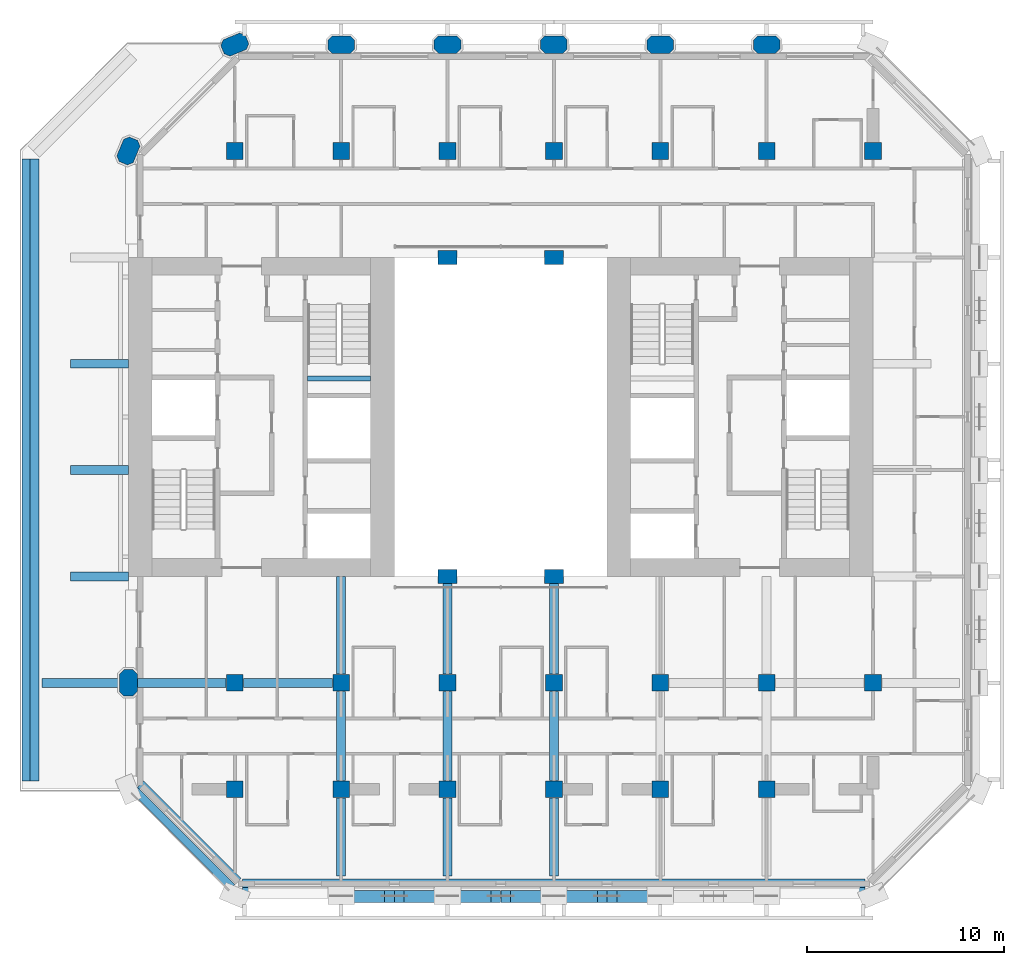
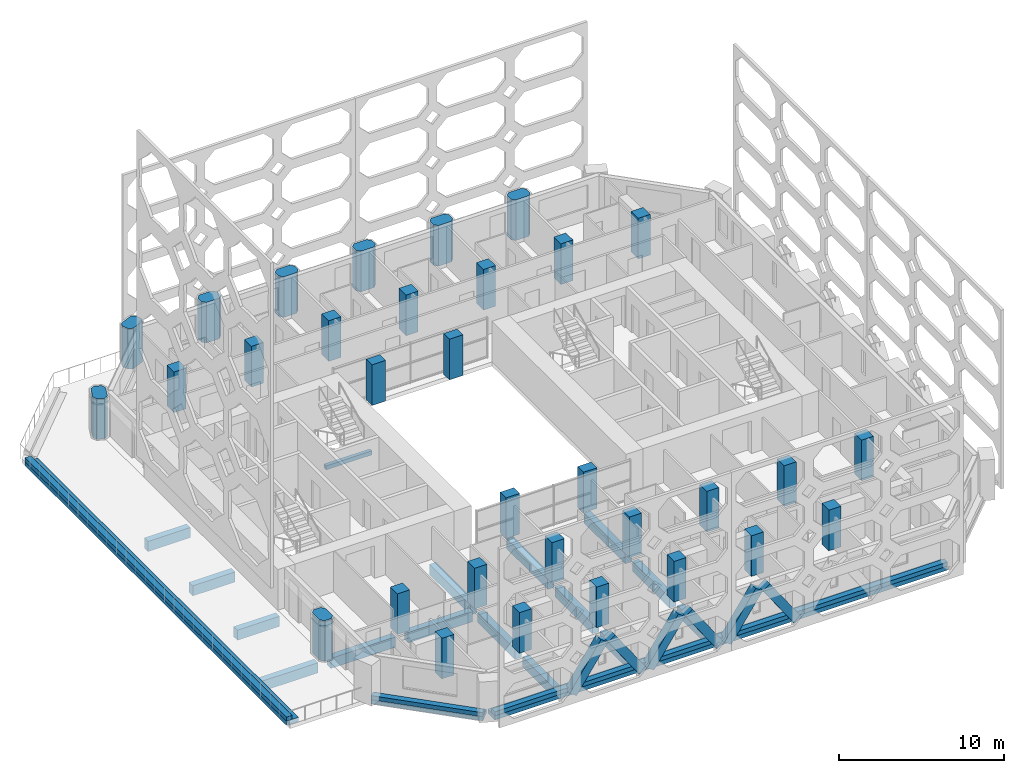
# One storey, part 1 of 16: 32 columns, 22 beams, 6 members.
"""IFC4 building model written with IfcOpenShell, lengths in metres."""

from ifc_helpers import new_model, si_unit, direction, frame, origin, origin_2d, place, context, subcontext, project, spatial, polyline, rectangle, outline, extrude, material, material_profile, profile_set, type_object, element, save


model = new_model("IFC4")

# Units and contexts
model_context = context("Model", 3, precision=1e-05, world=origin(), true_north=direction((0.0, 1.0)))
body_context = subcontext(model_context, "Body", "Model", "MODEL_VIEW")
ifc_project = project(units=[si_unit("LENGTHUNIT", "METRE"), si_unit("AREAUNIT", "SQUARE_METRE"), si_unit("VOLUMEUNIT", "CUBIC_METRE"), si_unit("PLANEANGLEUNIT", "RADIAN"), si_unit("MASSUNIT", "GRAM", prefix="KILO")], contexts=[model_context])

# Site, building, storey
site_placement = place(None, origin())
site = spatial("IfcSite", under=ifc_project, at=site_placement, CompositionType="ELEMENT")
building_placement = place(site_placement, origin())
building = spatial("IfcBuilding", under=site, at=building_placement, Name="Tabaq Tower and Sports Hall", CompositionType="ELEMENT")
storey_placement = place(building_placement, frame((0.0, 0.0, 152.800048828125)))
storey = spatial("IfcBuildingStorey", under=building, at=storey_placement, Name="L35", CompositionType="ELEMENT", Elevation=152.800048828125)

# Columns
ifc_material_1 = material(Name="Concrete C50/60", Category="concrete")
ifc_material_profile_1 = material_profile(ifc_material_1, rectangle(XDim=0.949951171875, YDim=0.699951171875, at=origin_2d()), Name="ATRIUM COLUMN 950x700")
ifc_profile_set_1 = profile_set([ifc_material_profile_1], Name="Concrete C50/60")
column_type_1 = type_object("IfcColumnType", Name="RC COLUMN ATRIUM COLUMN 950x700 C50/60", PredefinedType="COLUMN", material=ifc_profile_set_1)
for number, where, z_axis, x_axis, name in (
    (1, (21.60009765625, 16.199951171875, 0.0), (0.0, 0.0, 1.0), (1.0, 0.0, 0.0), "Atrium Column 5/D L35"),
    (2, (27.0, 16.199951171875, 0.0), (0.0, 0.0, 1.0), (1.0, 0.0, 0.0), "Atrium Column 6/D L35"),
    (3, (21.60009765625, 32.39990234375, 0.0), (0.0, 0.0, 1.0), (1.0, 0.0, 0.0), "Atrium Column 5/G L35"),
    (4, (27.0, 32.39990234375, 0.0), (0.0, 0.0, 1.0), (1.0, 0.0, 0.0), "Atrium Column 6/G L35"),
):
    element("IfcColumn", number, at=place(storey_placement, frame(where, z_axis=z_axis, x_axis=x_axis)), inside=storey, type_object=column_type_1, Name=name, PredefinedType="COLUMN", context=body_context, shape_type="SweptSolid", body=[
        extrude(rectangle(XDim=0.949951171875, YDim=0.699951171875, at=origin_2d()), origin(), (0.0, 0.0, 1.0), 3.0),
    ])
ifc_material_2 = material(Name="Concrete C50/60", Category="concrete")
ifc_material_profile_2 = material_profile(ifc_material_2, rectangle(XDim=0.85009765625, YDim=0.85009765625, at=origin_2d()), Name="COLUMN 850x850")
ifc_profile_set_2 = profile_set([ifc_material_profile_2], Name="Concrete C50/60")
column_type_2 = type_object("IfcColumnType", Name="RC COLUMN COLUMN 850x850 C50/60", PredefinedType="COLUMN", material=ifc_profile_set_2)
for number, where, z_axis, x_axis, name in (
    (5, (10.800048828125, 5.39990234375, 0.0), (0.0, 0.0, 1.0), (1.0, 0.0, 0.0), "Column 3/B L35"),
    (6, (16.199951171875, 5.39990234375, 0.0), (0.0, 0.0, 1.0), (1.0, 0.0, 0.0), "Column 4/B L35"),
    (7, (21.60009765625, 5.39990234375, 0.0), (0.0, 0.0, 1.0), (1.0, 0.0, 0.0), "Column 5/B L35"),
    (8, (27.0, 5.39990234375, 0.0), (0.0, 0.0, 1.0), (1.0, 0.0, 0.0), "Column 6/B L35"),
    (9, (32.39990234375, 5.39990234375, 0.0), (0.0, 0.0, 1.0), (1.0, 0.0, 0.0), "Column 7/B L35"),
    (10, (37.800048828125, 5.39990234375, 0.0), (0.0, 0.0, 1.0), (1.0, 0.0, 0.0), "Column 8/B L35"),
    (11, (10.800048828125, 10.800048828125, 0.0), (0.0, 0.0, 1.0), (1.0, 0.0, 0.0), "Column 3/C L35"),
    (12, (16.199951171875, 10.800048828125, 0.0), (0.0, 0.0, 1.0), (1.0, 0.0, 0.0), "Column 4/C L35"),
    (13, (21.60009765625, 10.800048828125, 0.0), (0.0, 0.0, 1.0), (1.0, 0.0, 0.0), "Column 5/C L35"),
    (14, (27.0, 10.800048828125, 0.0), (0.0, 0.0, 1.0), (1.0, 0.0, 0.0), "Column 6/C L35"),
    (15, (32.39990234375, 10.800048828125, 0.0), (0.0, 0.0, 1.0), (1.0, 0.0, 0.0), "Column 7/C L35"),
    (16, (37.800048828125, 10.800048828125, 0.0), (0.0, 0.0, 1.0), (1.0, 0.0, 0.0), "Column 8/C L35"),
    (17, (43.199951171875, 10.800048828125, 0.0), (0.0, 0.0, 1.0), (1.0, 0.0, 0.0), "Column 9/C L35"),
    (18, (10.800048828125, 37.800048828125, 0.0), (0.0, 0.0, 1.0), (1.0, 0.0, 0.0), "Column 3/H L35"),
    (19, (16.199951171875, 37.800048828125, 0.0), (0.0, 0.0, 1.0), (1.0, 0.0, 0.0), "Column 4/H L35"),
    (20, (21.60009765625, 37.800048828125, 0.0), (0.0, 0.0, 1.0), (1.0, 0.0, 0.0), "Column 5/H L35"),
    (21, (27.0, 37.800048828125, 0.0), (0.0, 0.0, 1.0), (1.0, 0.0, 0.0), "Column 6/H L35"),
    (22, (32.39990234375, 37.800048828125, 0.0), (0.0, 0.0, 1.0), (1.0, 0.0, 0.0), "Column 7/H L35"),
    (23, (37.800048828125, 37.800048828125, 0.0), (0.0, 0.0, 1.0), (1.0, 0.0, 0.0), "Column 8/H L35"),
    (24, (43.199951171875, 37.800048828125, 0.0), (0.0, 0.0, 1.0), (1.0, 0.0, 0.0), "Column 9/H L35"),
):
    element("IfcColumn", number, at=place(storey_placement, frame(where, z_axis=z_axis, x_axis=x_axis)), inside=storey, type_object=column_type_2, Name=name, PredefinedType="COLUMN", context=body_context, shape_type="SweptSolid", body=[
        extrude(rectangle(XDim=0.85009765625, YDim=0.85009765625, at=origin_2d()), origin(), (0.0, 0.0, 1.0), 3.0),
    ])
ifc_material_3 = material(Name="Concrete C50/60", Category="concrete")
ifc_material_profile_3 = material_profile(ifc_material_3, outline(polyline([(-0.449951171875, -0.449951171875), (0.449951171875, -0.449951171875), (0.675048828125, -0.22509765625), (0.675048828125, 0.22509765625), (0.449951171875, 0.449951171875), (-0.449951171875, 0.449951171875), (-0.675048828125, 0.22509765625), (-0.675048828125, -0.22509765625), (-0.449951171875, -0.449951171875)])), Name="PIER 1350x900")
ifc_profile_set_3 = profile_set([ifc_material_profile_3], Name="Concrete C50/60")
column_type_3 = type_object("IfcColumnType", Name="RC COLUMN PIER 1350x900 C50/60", PredefinedType="COLUMN", material=ifc_profile_set_3)
for number, where, z_axis, x_axis, name in (
    (25, (5.39990234375, 10.800048828125, 0.0), (0.0, 0.0, 1.0), (0.0, 1.0, 0.0), "Pier 2/C L35"),
    (26, (5.39990234375, 37.800048828125, 0.0), (0.0, 0.0, 1.0), (0.382683432365, 0.923879532511, 0.0), "Pier 2/H L35"),
    (27, (10.800048828125, 43.199951171875, 0.0), (0.0, 0.0, 1.0), (0.923879532511, 0.382683432365, 0.0), "Pier 3/I L35"),
    (28, (16.199951171875, 43.199951171875, 0.0), (0.0, 0.0, 1.0), (1.0, 0.0, 0.0), "Pier 4/I L35"),
    (29, (21.60009765625, 43.199951171875, 0.0), (0.0, 0.0, 1.0), (1.0, 0.0, 0.0), "Pier 5/I L35"),
    (30, (27.0, 43.199951171875, 0.0), (0.0, 0.0, 1.0), (1.0, 0.0, 0.0), "Pier 6/I L35"),
    (31, (32.39990234375, 43.199951171875, 0.0), (0.0, 0.0, 1.0), (1.0, 0.0, 0.0), "Pier 7/I L35"),
    (32, (37.800048828125, 43.199951171875, 0.0), (0.0, 0.0, 1.0), (1.0, 0.0, 0.0), "Pier 8/I L35"),
):
    element("IfcColumn", number, at=place(storey_placement, frame(where, z_axis=z_axis, x_axis=x_axis)), inside=storey, type_object=column_type_3, Name=name, PredefinedType="COLUMN", context=body_context, shape_type="SweptSolid", body=[
        extrude(outline(polyline([(-0.449951171875, -0.449951171875), (0.449951171875, -0.449951171875), (0.675048828125, -0.22509765625), (0.675048828125, 0.22509765625), (0.449951171875, 0.449951171875), (-0.449951171875, 0.449951171875), (-0.675048828125, 0.22509765625), (-0.675048828125, -0.22509765625), (-0.449951171875, -0.449951171875)])), origin(), (0.0, 0.0, 1.0), 3.0),
    ])

# Beams
ifc_material_4 = material(Name="Concrete C40/50", Category="concrete")
ifc_material_profile_4 = material_profile(ifc_material_4, rectangle(XDim=0.449951171875, YDim=0.75, at=origin_2d()), Name="CB 450x750")
ifc_profile_set_4 = profile_set([ifc_material_profile_4], Name="Concrete C40/50")
beam_type_1 = type_object("IfcBeamType", Name="PT CANTILEVER BEAM CB 450x750 C40/50", PredefinedType="BEAM", material=ifc_profile_set_4)
beam_1_placement = place(storey_placement, frame((1.0, 10.800048828125, -0.675048828125), z_axis=(1.0, 0.0, 0.0), x_axis=(0.0, 1.0, 0.0)))
element("IfcBeam", 33, at=beam_1_placement, inside=storey, type_object=beam_type_1, Name="Cantilever Beam L35 W2 span 1", PredefinedType="BEAM", context=body_context, shape_type="SweptSolid", body=[
    extrude(rectangle(XDim=0.449951171875, YDim=0.75, at=origin_2d()), origin(), (0.0, 0.0, 1.0), 3.949951171875),
])
for number, where, z_axis, x_axis, name in (
    (34, (5.85009765625, 10.800048828125, -0.675048828125), (1.0, 0.0, 0.0), (0.0, 1.0, 0.0), "Cantilever Beam L35 W2 span 2"),
    (35, (11.25, 10.800048828125, -0.675048828125), (1.0, 0.0, 0.0), (0.0, 1.0, 0.0), "Cantilever Beam L35 W2 span 3"),
):
    element("IfcBeam", number, at=place(storey_placement, frame(where, z_axis=z_axis, x_axis=x_axis)), inside=storey, type_object=beam_type_1, Name=name, PredefinedType="BEAM", context=body_context, shape_type="SweptSolid", body=[
        extrude(rectangle(XDim=0.449951171875, YDim=0.75, at=origin_2d()), origin(), (0.0, 0.0, 1.0), 4.5),
    ])
for number, where, z_axis, x_axis, name in (
    (36, (2.449951171875, 16.199951171875, -0.675048828125), (1.0, 0.0, 0.0), (0.0, 1.0, 0.0), "Cantilever Beam L35 W3 span 1"),
    (37, (2.449951171875, 21.60009765625, -0.675048828125), (1.0, 0.0, 0.0), (0.0, 1.0, 0.0), "Cantilever Beam L35 W4 span 1"),
    (38, (2.449951171875, 27.0, -0.675048828125), (1.0, 0.0, 0.0), (0.0, 1.0, 0.0), "Cantilever Beam L35 W5 span 1"),
):
    element("IfcBeam", number, at=place(storey_placement, frame(where, z_axis=z_axis, x_axis=x_axis)), inside=storey, type_object=beam_type_1, Name=name, PredefinedType="BEAM", context=body_context, shape_type="SweptSolid", body=[
        extrude(rectangle(XDim=0.449951171875, YDim=0.75, at=origin_2d()), origin(), (0.0, 0.0, 1.0), 2.949951171875),
    ])
beam_2_placement = place(storey_placement, frame((16.199951171875, 1.0, -0.675048828125), z_axis=(0.0, 1.0, 0.0), x_axis=(-1.0, 0.0, 0.0)))
element("IfcBeam", 39, at=beam_2_placement, inside=storey, type_object=beam_type_1, Name="Cantilever Beam L35 S3 span 1", PredefinedType="BEAM", context=body_context, shape_type="SweptSolid", body=[
    extrude(rectangle(XDim=0.449951171875, YDim=0.75, at=origin_2d()), origin(), (0.0, 0.0, 1.0), 3.949951171875),
])
beam_3_placement = place(storey_placement, frame((16.199951171875, 5.85009765625, -0.675048828125), z_axis=(0.0, 1.0, 0.0), x_axis=(-1.0, 0.0, 0.0)))
element("IfcBeam", 40, at=beam_3_placement, inside=storey, type_object=beam_type_1, Name="Cantilever Beam L35 S3 span 2", PredefinedType="BEAM", context=body_context, shape_type="SweptSolid", body=[
    extrude(rectangle(XDim=0.449951171875, YDim=0.75, at=origin_2d()), origin(), (0.0, 0.0, 1.0), 4.5),
])
beam_4_placement = place(storey_placement, frame((16.199951171875, 11.25, -0.675048828125), z_axis=(0.0, 1.0, 0.0), x_axis=(-1.0, 0.0, 0.0)))
element("IfcBeam", 41, at=beam_4_placement, inside=storey, type_object=beam_type_1, Name="Cantilever Beam L35 S3 span 3", PredefinedType="BEAM", context=body_context, shape_type="SweptSolid", body=[
    extrude(rectangle(XDim=0.449951171875, YDim=0.75, at=origin_2d()), origin(), (0.0, 0.0, 1.0), 4.949951171875),
])
beam_5_placement = place(storey_placement, frame((21.60009765625, 1.0, -0.675048828125), z_axis=(0.0, 1.0, 0.0), x_axis=(-1.0, 0.0, 0.0)))
element("IfcBeam", 42, at=beam_5_placement, inside=storey, type_object=beam_type_1, Name="Cantilever Beam L35 S4 span 1", PredefinedType="BEAM", context=body_context, shape_type="SweptSolid", body=[
    extrude(rectangle(XDim=0.449951171875, YDim=0.75, at=origin_2d()), origin(), (0.0, 0.0, 1.0), 3.949951171875),
])
beam_6_placement = place(storey_placement, frame((21.60009765625, 5.85009765625, -0.675048828125), z_axis=(0.0, 1.0, 0.0), x_axis=(-1.0, 0.0, 0.0)))
element("IfcBeam", 43, at=beam_6_placement, inside=storey, type_object=beam_type_1, Name="Cantilever Beam L35 S4 span 2", PredefinedType="BEAM", context=body_context, shape_type="SweptSolid", body=[
    extrude(rectangle(XDim=0.449951171875, YDim=0.75, at=origin_2d()), origin(), (0.0, 0.0, 1.0), 4.5),
])
beam_7_placement = place(storey_placement, frame((21.60009765625, 11.25, -0.675048828125), z_axis=(0.0, 1.0, 0.0), x_axis=(-1.0, 0.0, 0.0)))
element("IfcBeam", 44, at=beam_7_placement, inside=storey, type_object=beam_type_1, Name="Cantilever Beam L35 S4 span 3", PredefinedType="BEAM", context=body_context, shape_type="SweptSolid", body=[
    extrude(rectangle(XDim=0.449951171875, YDim=0.75, at=origin_2d()), origin(), (0.0, 0.0, 1.0), 4.949951171875),
])
beam_8_placement = place(storey_placement, frame((27.0, 1.0, -0.675048828125), z_axis=(0.0, 1.0, 0.0), x_axis=(-1.0, 0.0, 0.0)))
element("IfcBeam", 45, at=beam_8_placement, inside=storey, type_object=beam_type_1, Name="Cantilever Beam L35 S5 span 1", PredefinedType="BEAM", context=body_context, shape_type="SweptSolid", body=[
    extrude(rectangle(XDim=0.449951171875, YDim=0.75, at=origin_2d()), origin(), (0.0, 0.0, 1.0), 3.949951171875),
])
beam_9_placement = place(storey_placement, frame((27.0, 5.85009765625, -0.675048828125), z_axis=(0.0, 1.0, 0.0), x_axis=(-1.0, 0.0, 0.0)))
element("IfcBeam", 46, at=beam_9_placement, inside=storey, type_object=beam_type_1, Name="Cantilever Beam L35 S5 span 2", PredefinedType="BEAM", context=body_context, shape_type="SweptSolid", body=[
    extrude(rectangle(XDim=0.449951171875, YDim=0.75, at=origin_2d()), origin(), (0.0, 0.0, 1.0), 4.5),
])
beam_10_placement = place(storey_placement, frame((27.0, 11.25, -0.675048828125), z_axis=(0.0, 1.0, 0.0), x_axis=(-1.0, 0.0, 0.0)))
element("IfcBeam", 47, at=beam_10_placement, inside=storey, type_object=beam_type_1, Name="Cantilever Beam L35 S5 span 3", PredefinedType="BEAM", context=body_context, shape_type="SweptSolid", body=[
    extrude(rectangle(XDim=0.449951171875, YDim=0.75, at=origin_2d()), origin(), (0.0, 0.0, 1.0), 4.949951171875),
])
ifc_material_5 = material(Name="Concrete C40/50", Category="concrete")
ifc_material_profile_5 = material_profile(ifc_material_5, rectangle(XDim=0.85009765625, YDim=0.300048828125, at=origin_2d()), Name="EB 850x300")
ifc_profile_set_5 = profile_set([ifc_material_profile_5], Name="Concrete C40/50")
beam_type_2 = type_object("IfcBeamType", Name="PT EDGE BEAM EB 850x300 C40/50", PredefinedType="SPANDREL", material=ifc_profile_set_5)
beam_11_placement = place(storey_placement, frame((5.877197265625, 5.523681640625, -0.150146484375), z_axis=(0.707106781187, -0.707106781187, 0.0), x_axis=(0.707106781187, 0.707106781187, 0.0)))
element("IfcBeam", 48, at=beam_11_placement, inside=storey, type_object=beam_type_2, Name="Edge Beam L35 1", PredefinedType="SPANDREL", context=body_context, shape_type="SweptSolid", body=[
    extrude(rectangle(XDim=0.85009765625, YDim=0.300048828125, at=origin_2d()), origin(), (0.0, 0.0, 1.0), 6.98486328125),
])
beam_12_placement = place(storey_placement, frame((11.2021484375, 0.425048828125, -0.150146484375), z_axis=(1.0, 0.0, 0.0), x_axis=(0.0, 1.0, 0.0)))
element("IfcBeam", 49, at=beam_12_placement, inside=storey, type_object=beam_type_2, Name="Edge Beam L35 2", PredefinedType="SPANDREL", context=body_context, shape_type="SweptSolid", body=[
    extrude(rectangle(XDim=0.85009765625, YDim=0.300048828125, at=origin_2d()), origin(), (0.0, 0.0, 1.0), 31.595703125),
])
beam_13_placement = place(storey_placement, frame((0.425048828125, 37.39794921875, -0.150146484375), z_axis=(0.0, -1.0, 0.0), x_axis=(1.0, 0.0, 0.0)))
element("IfcBeam", 50, at=beam_13_placement, inside=storey, type_object=beam_type_2, Name="Edge Beam L35 7", PredefinedType="SPANDREL", context=body_context, shape_type="SweptSolid", body=[
    extrude(rectangle(XDim=0.85009765625, YDim=0.300048828125, at=origin_2d()), origin(), (0.0, 0.0, 1.0), 31.5830078125),
])
ifc_material_6 = material(Name="Concrete C40/50", Category="concrete")
ifc_material_profile_6 = material_profile(ifc_material_6, rectangle(XDim=0.39990234375, YDim=0.300048828125, at=origin_2d()), Name="EU 400x300")
ifc_profile_set_6 = profile_set([ifc_material_profile_6], Name="Concrete C40/50")
beam_type_3 = type_object("IfcBeamType", Name="PT EDGE UPSTAND EU 400x300 C40/50", PredefinedType="BEAM", material=ifc_profile_set_6)
beam_14_placement = place(storey_placement, frame((5.71826171875, 5.36474609375, 0.14990234375), z_axis=(0.707106781187, -0.707106781187, 0.0), x_axis=(0.707106781187, 0.707106781187, 0.0)))
element("IfcBeam", 51, at=beam_14_placement, inside=storey, type_object=beam_type_3, Name="Edge Upstand L35 1", PredefinedType="BEAM", context=body_context, shape_type="SweptSolid", body=[
    extrude(rectangle(XDim=0.39990234375, YDim=0.300048828125, at=origin_2d()), origin(), (0.0, 0.0, 1.0), 6.98486328125),
])
beam_15_placement = place(storey_placement, frame((11.2021484375, 0.199951171875, 0.14990234375), z_axis=(1.0, 0.0, 0.0), x_axis=(0.0, 1.0, 0.0)))
element("IfcBeam", 52, at=beam_15_placement, inside=storey, type_object=beam_type_3, Name="Edge Upstand L35 2", PredefinedType="BEAM", context=body_context, shape_type="SweptSolid", body=[
    extrude(rectangle(XDim=0.39990234375, YDim=0.300048828125, at=origin_2d()), origin(), (0.0, 0.0, 1.0), 31.595703125),
])
beam_16_placement = place(storey_placement, frame((0.199951171875, 37.39794921875, 0.14990234375), z_axis=(0.0, -1.0, 0.0), x_axis=(1.0, 0.0, 0.0)))
element("IfcBeam", 53, at=beam_16_placement, inside=storey, type_object=beam_type_3, Name="Edge Upstand L35 7", PredefinedType="BEAM", context=body_context, shape_type="SweptSolid", body=[
    extrude(rectangle(XDim=0.39990234375, YDim=0.300048828125, at=origin_2d()), origin(), (0.0, 0.0, 1.0), 31.5830078125),
])

# Members
ifc_material_7 = material(Name="Concrete C50/60", Category="concrete")
ifc_material_profile_7 = material_profile(ifc_material_7, rectangle(XDim=0.60009765625, YDim=0.60009765625, at=origin_2d()), Name="TRANSFER BAND BRACE 600x600")
ifc_profile_set_7 = profile_set([ifc_material_profile_7], Name="Concrete C50/60")
member_type = type_object("IfcMemberType", Name="RC TRANSFER BAND BRACE 600x600 C50/60", PredefinedType="BRACE", material=ifc_profile_set_7)
for number, where, z_axis, x_axis, name in (
    (54, (16.449951171875, -0.050048828125, -0.050048828125), (0.56652615464, 0.0, 0.824043758613), (0.0, 1.0, 0.0), "Transfer Band Brace L35 South 1"),
    (55, (21.35009765625, -0.050048828125, -0.050048828125), (-0.566568844459, 0.0, 0.824014407937), (0.0, -1.0, 0.0), "Transfer Band Brace L35 South 2"),
    (56, (21.85009765625, -0.050048828125, -0.050048828125), (0.56652615464, 0.0, 0.824043758613), (0.0, 1.0, 0.0), "Transfer Band Brace L35 South 3"),
    (57, (26.75, -0.050048828125, -0.050048828125), (-0.56652615464, 0.0, 0.824043758613), (0.0, -1.0, 0.0), "Transfer Band Brace L35 South 4"),
    (58, (27.25, -0.050048828125, -0.050048828125), (0.56652615464, 0.0, 0.824043758613), (0.0, 1.0, 0.0), "Transfer Band Brace L35 South 5"),
    (59, (32.14990234375, -0.050048828125, -0.050048828125), (-0.56652615464, 0.0, 0.824043758613), (0.0, -1.0, 0.0), "Transfer Band Brace L35 South 6"),
):
    element("IfcMember", number, at=place(storey_placement, frame(where, z_axis=z_axis, x_axis=x_axis)), inside=storey, type_object=member_type, Name=name, PredefinedType="BRACE", context=body_context, shape_type="SweptSolid", body=[
        extrude(rectangle(XDim=0.60009765625, YDim=0.60009765625, at=origin_2d()), origin(), (0.0, 0.0, 1.0), 3.88330078125),
    ])

# Beam
ifc_material_8 = material(Name="Concrete C40/50", Category="concrete")
ifc_material_profile_8 = material_profile(ifc_material_8, rectangle(XDim=0.25, YDim=0.300048828125, at=origin_2d()), Name="RC 250x300")
ifc_profile_set_8 = profile_set([ifc_material_profile_8], Name="Concrete C40/50")
beam_type_4 = type_object("IfcBeamType", Name="Stair landing beam 250x300", PredefinedType="BEAM", material=ifc_profile_set_8)
beam_17_placement = place(storey_placement, frame((14.5, 26.25, 1.300048828125), z_axis=(1.0, 0.0, 0.0), x_axis=(0.0, 1.0, 0.0)))
element("IfcBeam", 60, at=beam_17_placement, inside=storey, type_object=beam_type_4, Name="L35 ST2 landing beam 1", PredefinedType="BEAM", context=body_context, shape_type="SweptSolid", body=[
    extrude(rectangle(XDim=0.25, YDim=0.300048828125, at=origin_2d()), origin(), (0.0, 0.0, 1.0), 3.199951171875),
])

save(model, "model.ifc")
